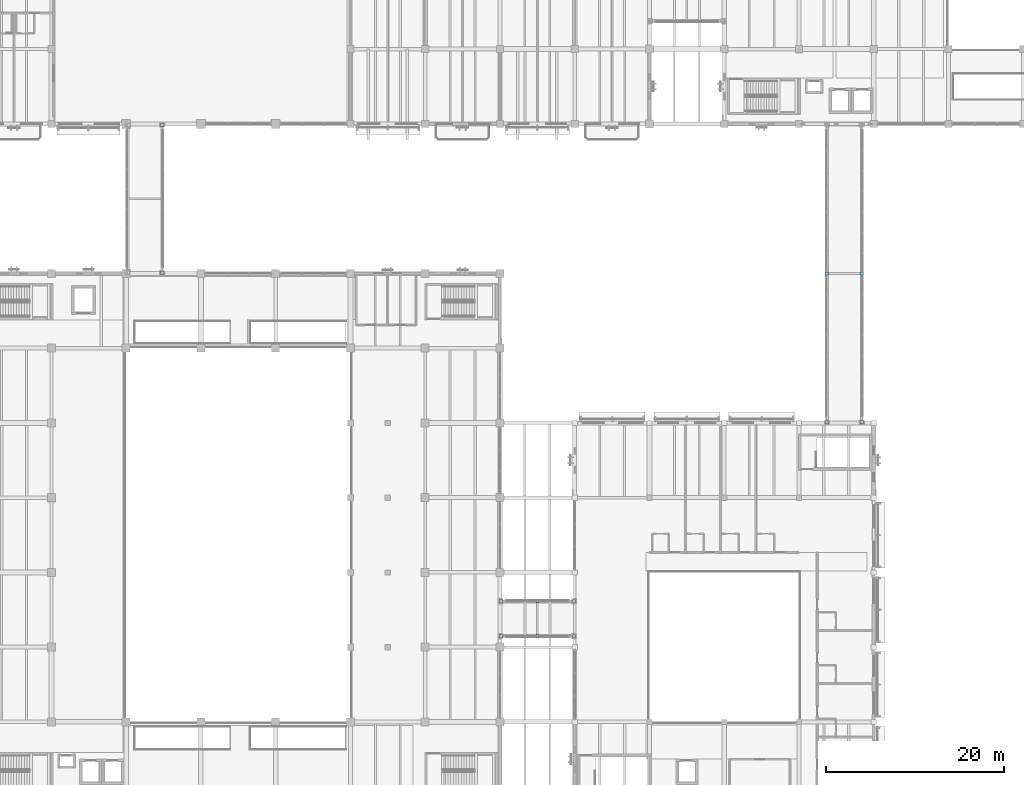
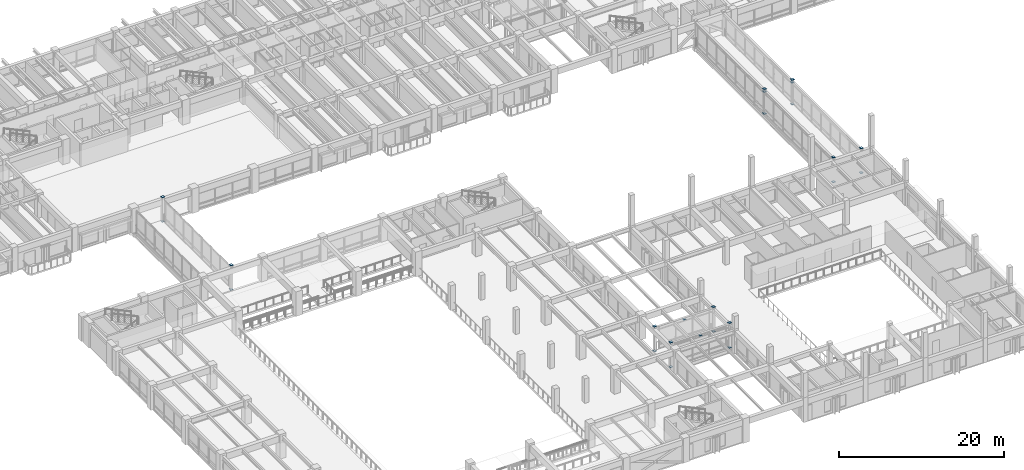
# One storey, part 61 of 118: 24 plates.
"""IFC4 building model written with IfcOpenShell, lengths in metres."""

from ifc_helpers import new_model, si_unit, direction, frame, origin, origin_2d, place, context, subcontext, project, spatial, rectangle, extrude, material, layer, layer_set, type_object, element, save


model = new_model("IFC4")

# Units and contexts
model_context = context("Model", 3, precision=1e-05, world=origin(), true_north=direction((0.0, 1.0)))
body_context = subcontext(model_context, "Body", "Model", "MODEL_VIEW")
ifc_project = project(units=[si_unit("LENGTHUNIT", "METRE"), si_unit("AREAUNIT", "SQUARE_METRE"), si_unit("VOLUMEUNIT", "CUBIC_METRE"), si_unit("PLANEANGLEUNIT", "RADIAN"), si_unit("MASSUNIT", "GRAM", prefix="KILO")], contexts=[model_context])

# Site, building, storey
site_placement = place(None, origin())
site = spatial("IfcSite", under=ifc_project, at=site_placement, CompositionType="ELEMENT")
building_placement = place(site_placement, origin())
building = spatial("IfcBuilding", under=site, at=building_placement, Name="Cumbredor Promenade Congress Hotel", CompositionType="ELEMENT")
storey_placement = place(building_placement, frame((0.0, 0.0, 3.919921875)))
storey = spatial("IfcBuildingStorey", under=building, at=storey_placement, Name="L01", CompositionType="ELEMENT", Elevation=3.919921875)

# Plates
ifc_material = material(Name="Steel ASTM A572 Grade 50", Category="steel")
ifc_layer_1 = layer(ifc_material, 0.02392578125, Name="Steel ASTM A572 Grade 50", Category="steel")
ifc_layer_set_1 = layer_set([ifc_layer_1], Name="Steel ASTM A572 Grade 50")
plate_type_1 = type_object("IfcPlateType", Name="Bridge Truss Node Assembly ND-06", PredefinedType="USERDEFINED", material=ifc_layer_set_1)
for number, where, z_axis, x_axis, name in (
    (1, (71.39990234375, 26.449951171875, 3.231689453125), (0.0, 0.0, 1.0), (1.0, 0.0, 0.0), "Central Plenary-to-Spa Pool Bridge Bridge Truss Node ND-06"),
    (2, (71.39990234375, 30.35009765625, 3.231689453125), (0.0, 0.0, 1.0), (1.0, 0.0, 0.0), "Central Plenary-to-Spa Pool Bridge Bridge Truss Node ND-06"),
    (3, (103.949951171875, 67.199951171875, 3.231689453125), (0.0, 0.0, 1.0), (1.0, 0.0, 0.0), "Central Reflecting-Pool Promenade Bridge Bridge Truss Node ND-06"),
    (4, (107.85009765625, 67.199951171875, 3.231689453125), (0.0, 0.0, 1.0), (1.0, 0.0, 0.0), "Central Reflecting-Pool Promenade Bridge Bridge Truss Node ND-06"),
):
    element("IfcPlate", number, at=place(storey_placement, frame(where, z_axis=z_axis, x_axis=x_axis)), inside=storey, type_object=plate_type_1, Name=name, ObjectType="GUSSET PLATE", PredefinedType="USERDEFINED", context=body_context, shape_type="SweptSolid", body=[
        extrude(rectangle(XDim=0.360107421875, YDim=0.360107421875, at=origin_2d()), origin(), (0.0, 0.0, 1.0), 0.02392578125),
    ])
ifc_layer_2 = layer(ifc_material, 0.02001953125, Name="Steel ASTM A572 Grade 50", Category="steel")
ifc_layer_set_2 = layer_set([ifc_layer_2], Name="Steel ASTM A572 Grade 50")
plate_type_2 = type_object("IfcPlateType", Name="Hollow Section End Cap Plate CP-04", PredefinedType="USERDEFINED", material=ifc_layer_set_2)
for number, where, z_axis, x_axis, name in (
    (5, (29.25, 67.280029296875, -0.017822265625), (0.0, 0.0, 1.0), (1.0, 0.0, 0.0), "L01 West Congress-to-Hotel Glazed Bridge Support Column 2 Start Cap Plate"),
    (6, (29.25, 67.280029296875, 3.63818359375), (0.0, 0.0, 1.0), (1.0, 0.0, 0.0), "L01 West Congress-to-Hotel Glazed Bridge Support Column 2 End Cap Plate"),
    (7, (29.25, 83.919921875, -0.017822265625), (0.0, 0.0, 1.0), (1.0, 0.0, 0.0), "L01 West Congress-to-Hotel Glazed Bridge Support Column 4 Start Cap Plate"),
    (8, (29.25, 83.919921875, 3.63818359375), (0.0, 0.0, 1.0), (1.0, 0.0, 0.0), "L01 West Congress-to-Hotel Glazed Bridge Support Column 4 End Cap Plate"),
    (9, (67.280029296875, 26.449951171875, -0.017822265625), (0.0, 0.0, 1.0), (1.0, 0.0, 0.0), "L01 Central Plenary-to-Spa Pool Bridge Support Column 1 Start Cap Plate"),
    (10, (67.280029296875, 26.449951171875, 3.63818359375), (0.0, 0.0, 1.0), (1.0, 0.0, 0.0), "L01 Central Plenary-to-Spa Pool Bridge Support Column 1 End Cap Plate"),
    (11, (67.280029296875, 30.35009765625, -0.017822265625), (0.0, 0.0, 1.0), (1.0, 0.0, 0.0), "L01 Central Plenary-to-Spa Pool Bridge Support Column 2 Start Cap Plate"),
    (12, (67.280029296875, 30.35009765625, 3.63818359375), (0.0, 0.0, 1.0), (1.0, 0.0, 0.0), "L01 Central Plenary-to-Spa Pool Bridge Support Column 2 End Cap Plate"),
    (13, (75.52001953125, 26.449951171875, -0.017822265625), (0.0, 0.0, 1.0), (1.0, 0.0, 0.0), "L01 Central Plenary-to-Spa Pool Bridge Support Column 3 Start Cap Plate"),
    (14, (75.52001953125, 26.449951171875, 3.63818359375), (0.0, 0.0, 1.0), (1.0, 0.0, 0.0), "L01 Central Plenary-to-Spa Pool Bridge Support Column 3 End Cap Plate"),
    (15, (75.52001953125, 30.35009765625, -0.017822265625), (0.0, 0.0, 1.0), (1.0, 0.0, 0.0), "L01 Central Plenary-to-Spa Pool Bridge Support Column 4 Start Cap Plate"),
    (16, (75.52001953125, 30.35009765625, 3.63818359375), (0.0, 0.0, 1.0), (1.0, 0.0, 0.0), "L01 Central Plenary-to-Spa Pool Bridge Support Column 4 End Cap Plate"),
    (17, (103.949951171875, 50.47998046875, -0.017822265625), (0.0, 0.0, 1.0), (1.0, 0.0, 0.0), "L01 Central Reflecting-Pool Promenade Bridge Support Column 1 Start Cap Plate"),
    (18, (103.949951171875, 50.47998046875, 3.63818359375), (0.0, 0.0, 1.0), (1.0, 0.0, 0.0), "L01 Central Reflecting-Pool Promenade Bridge Support Column 1 End Cap Plate"),
    (19, (107.85009765625, 50.47998046875, -0.017822265625), (0.0, 0.0, 1.0), (1.0, 0.0, 0.0), "L01 Central Reflecting-Pool Promenade Bridge Support Column 2 Start Cap Plate"),
    (20, (107.85009765625, 50.47998046875, 3.63818359375), (0.0, 0.0, 1.0), (1.0, 0.0, 0.0), "L01 Central Reflecting-Pool Promenade Bridge Support Column 2 End Cap Plate"),
    (21, (103.949951171875, 67.199951171875, -0.017822265625), (0.0, 0.0, 1.0), (1.0, 0.0, 0.0), "L01 Reflecting-Pool Bridge Mid Pier 1 Start Cap Plate"),
    (22, (103.949951171875, 67.199951171875, 3.63818359375), (0.0, 0.0, 1.0), (1.0, 0.0, 0.0), "L01 Reflecting-Pool Bridge Mid Pier 1 End Cap Plate"),
    (23, (107.85009765625, 67.199951171875, -0.017822265625), (0.0, 0.0, 1.0), (1.0, 0.0, 0.0), "L01 Reflecting-Pool Bridge Mid Pier 2 Start Cap Plate"),
    (24, (107.85009765625, 67.199951171875, 3.63818359375), (0.0, 0.0, 1.0), (1.0, 0.0, 0.0), "L01 Reflecting-Pool Bridge Mid Pier 2 End Cap Plate"),
):
    element("IfcPlate", number, at=place(storey_placement, frame(where, z_axis=z_axis, x_axis=x_axis)), inside=storey, type_object=plate_type_2, Name=name, ObjectType="CAP PLATE", PredefinedType="USERDEFINED", context=body_context, shape_type="SweptSolid", body=[
        extrude(rectangle(XDim=0.3798828125, YDim=0.3798828125, at=origin_2d()), origin(), (0.0, 0.0, 1.0), 0.02001953125),
    ])

save(model, "model.ifc")
